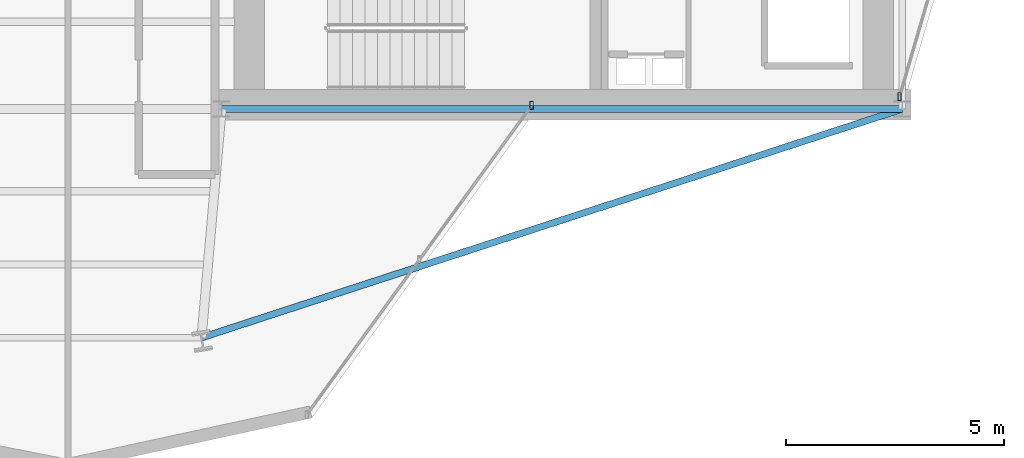
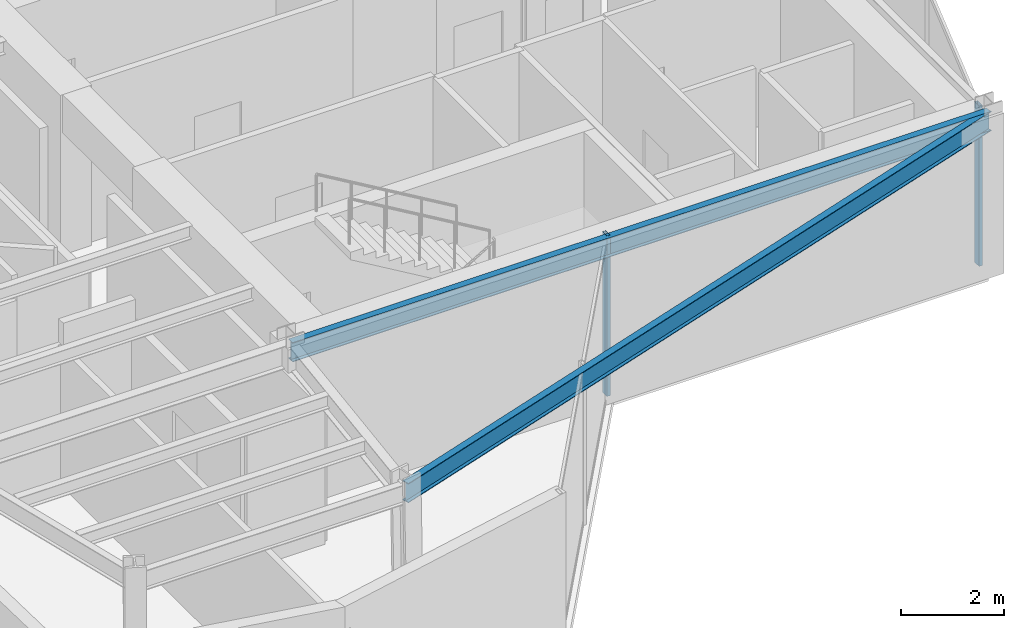
# One storey, part 12 of 21: 2 beams, 2 members, 2 elements without a shape of their own.
"""IFC4 building model written with IfcOpenShell, lengths in metres."""

from ifc_helpers import new_model, si_unit, direction, frame, origin, origin_2d, place, context, subcontext, project, spatial, hollow_rectangle, i_section, extrude, material, layer, layer_set, material_profile, profile_set, type_object, element, aggregate, save


model = new_model("IFC4")

# Units and contexts
model_context = context("Model", 3, precision=1e-05, world=origin(), true_north=direction((0.0, 1.0)))
body_context = subcontext(model_context, "Body", "Model", "MODEL_VIEW")
ifc_project = project(units=[si_unit("LENGTHUNIT", "METRE"), si_unit("AREAUNIT", "SQUARE_METRE"), si_unit("VOLUMEUNIT", "CUBIC_METRE"), si_unit("PLANEANGLEUNIT", "RADIAN"), si_unit("MASSUNIT", "GRAM", prefix="KILO")], contexts=[model_context])

# Site, building, storey
site_placement = place(None, origin())
site = spatial("IfcSite", under=ifc_project, at=site_placement, CompositionType="ELEMENT")
building_placement = place(site_placement, origin())
building = spatial("IfcBuilding", under=site, at=building_placement, Name="Veymaron Broadcast Tower", CompositionType="ELEMENT")
storey_placement = place(building_placement, frame((0.0, 0.0, 232.35009765625)))
storey = spatial("IfcBuildingStorey", under=building, at=storey_placement, Name="L54", CompositionType="ELEMENT", Elevation=232.35009765625)

# Beams
ifc_material_1 = material(Name="Structural steel ASTM A992 Gr 50", Category="steel")
ifc_material_profile_1 = material_profile(ifc_material_1, i_section(OverallWidth=0.154052734375, OverallDepth=0.458984375, WebThickness=0.009033203125, FlangeThickness=0.015380859375, at=origin_2d()), Name="W460X68")
ifc_profile_set_1 = profile_set([ifc_material_profile_1], Name="Structural steel ASTM A992 Gr 50")
beam_type = type_object("IfcBeamType", Name="BM-SP2", PredefinedType="SPANDREL", material=ifc_profile_set_1)
beam_1_placement = place(storey_placement, frame((39.0, 16.0, 3.560302734375), z_axis=(1.0, 0.0, 0.0), x_axis=(0.0, 1.0, 0.0)))
element("IfcBeam", 1, at=beam_1_placement, inside=storey, type_object=beam_type, Name="L54 primary structural floor girder", PredefinedType="SPANDREL", context=body_context, shape_type="SweptSolid", body=[
    extrude(i_section(OverallWidth=0.154052734375, OverallDepth=0.458984375, WebThickness=0.009033203125, FlangeThickness=0.015380859375, at=origin_2d()), origin(), (0.0, 0.0, 1.0), 15.60009765625),
])
beam_2_placement = place(storey_placement, frame((54.60009765625, 16.0, 3.560302734375), z_axis=(-0.950677228408, -0.310181894034, 0.0), x_axis=(0.310181894034, -0.950677228408, 0.0)))
element("IfcBeam", 2, at=beam_2_placement, inside=storey, type_object=beam_type, Name="L54 primary structural floor girder", PredefinedType="SPANDREL", context=body_context, shape_type="SweptSolid", body=[
    extrude(i_section(OverallWidth=0.154052734375, OverallDepth=0.458984375, WebThickness=0.009033203125, FlangeThickness=0.015380859375, at=origin_2d()), origin(), (0.0, 0.0, 1.0), 16.893310546875),
])

# Curtain wall, member
ifc_material_2 = material(Name="Anodised aluminium AA 6063-T6 and laminated low-E dark glass", Category="aluminium")
ifc_layer = layer(ifc_material_2, 0.179931640625)
ifc_layer_set = layer_set([ifc_layer], Name="Anodised aluminium AA 6063-T6 and laminated low-E dark glass")
curtain_wall_type = type_object("IfcCurtainWallType", Name="CW-SYS-05", PredefinedType="NOTDEFINED", material=ifc_layer_set)
curtain_wall_1_placement = place(storey_placement, origin())
curtain_wall_1 = element("IfcCurtainWall", 3, at=curtain_wall_1_placement, inside=storey, type_object=curtain_wall_type, Name="L54 dark-glass curtain wall CW-L54-E2-1", PredefinedType="NOTDEFINED")
ifc_material_3 = material(Name="Anodised aluminium AA 6063-T6", Category="aluminium")
ifc_material_profile_2 = material_profile(ifc_material_3, hollow_rectangle(XDim=0.074951171875, YDim=0.179931640625, WallThickness=0.0048828125, at=origin_2d()), Name="AL180X75X5")
ifc_profile_set_2 = profile_set([ifc_material_profile_2], Name="Anodised aluminium AA 6063-T6")
member_type = type_object("IfcMemberType", Name="CW-MUL-02", PredefinedType="MULLION", material=ifc_profile_set_2)
member_1_placement = place(storey_placement, frame((54.536376953125, 16.2822265625, 0.0), z_axis=(0.0, 0.0, 1.0), x_axis=(1.0, 0.0, 0.0)))
member_1 = element("IfcMember", 4, at=member_1_placement, type_object=member_type, Name="CW-L54-E2-1 mullion 0", PredefinedType="MULLION", context=body_context, shape_type="SweptSolid", body=[
    extrude(hollow_rectangle(XDim=0.074951171875, YDim=0.179931640625, WallThickness=0.0048828125, at=origin_2d()), origin(), (0.0, 0.0, 1.0), 3.789794921875),
])
aggregate(curtain_wall_1, [member_1])

curtain_wall_2_placement = place(storey_placement, origin())
curtain_wall_2 = element("IfcCurtainWall", 5, at=curtain_wall_2_placement, inside=storey, type_object=curtain_wall_type, Name="L54 dark-glass curtain wall CW-L54-E20-1", PredefinedType="NOTDEFINED")
member_2_placement = place(storey_placement, frame((46.10498046875, 16.082275390625, 0.0), z_axis=(0.0, 0.0, 1.0), x_axis=(1.0, 0.0, 0.0)))
member_2 = element("IfcMember", 6, at=member_2_placement, type_object=member_type, Name="CW-L54-E20-1 mullion 2", PredefinedType="MULLION", context=body_context, shape_type="SweptSolid", body=[
    extrude(hollow_rectangle(XDim=0.074951171875, YDim=0.179931640625, WallThickness=0.0048828125, at=origin_2d()), origin(), (0.0, 0.0, 1.0), 3.789794921875),
])
aggregate(curtain_wall_2, [member_2])

save(model, "model.ifc")
